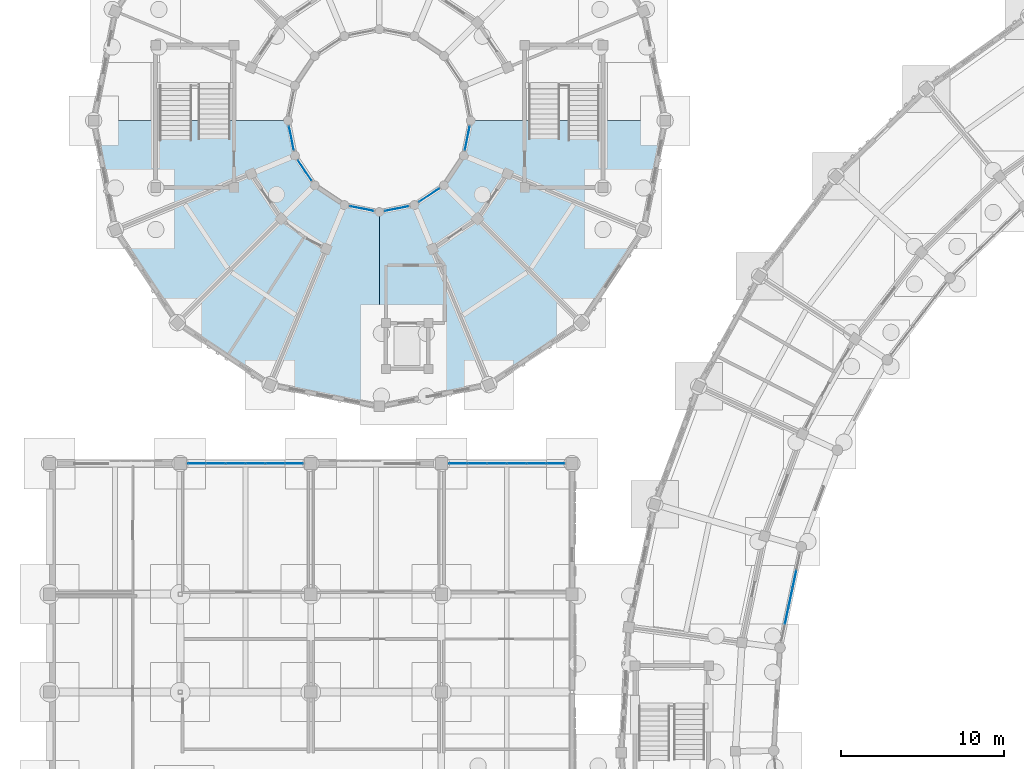
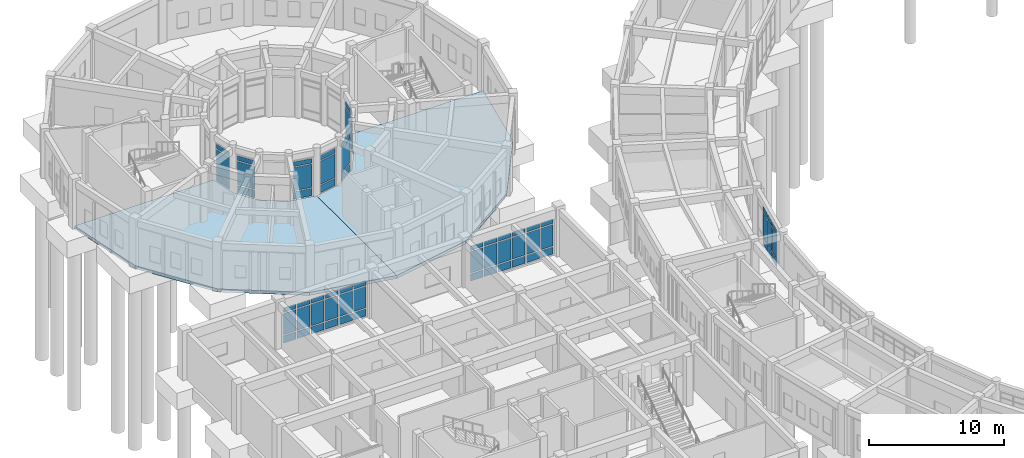
# One storey, part 107 of 153: 63 plates, 2 slabs, 9 elements without a shape of their own.
"""IFC4 building model written with IfcOpenShell, lengths in metres."""

from ifc_helpers import new_model, si_unit, direction, frame, origin, origin_2d, place, context, subcontext, project, spatial, polyline, rectangle, outline, extrude, material, layer, layer_set, type_object, element, aggregate, save


model = new_model("IFC4")

# Units and contexts
model_context = context("Model", 3, precision=1e-05, world=origin(), true_north=direction((0.0, 1.0)))
body_context = subcontext(model_context, "Body", "Model", "MODEL_VIEW")
ifc_project = project(units=[si_unit("LENGTHUNIT", "METRE"), si_unit("AREAUNIT", "SQUARE_METRE"), si_unit("VOLUMEUNIT", "CUBIC_METRE"), si_unit("PLANEANGLEUNIT", "RADIAN"), si_unit("MASSUNIT", "GRAM", prefix="KILO")], contexts=[model_context])

# Site, building, storey
site_placement = place(None, origin())
site = spatial("IfcSite", under=ifc_project, at=site_placement, CompositionType="ELEMENT")
building_placement = place(site_placement, origin())
building = spatial("IfcBuilding", under=site, at=building_placement, Name="Celadon Cloister-Ring School", CompositionType="ELEMENT")
storey_placement = place(building_placement, origin())
storey = spatial("IfcBuildingStorey", under=building, at=storey_placement, Name="L00", CompositionType="ELEMENT", Elevation=0.0)

# Curtain wall, plates
ifc_material_1 = material(Name="Aluminium EN AW-6063 T6", Category="aluminium")
curtain_wall_type_1 = type_object("IfcCurtainWallType", Name="CW-03", PredefinedType="USERDEFINED", material=ifc_material_1)
curtain_wall_1_placement = place(storey_placement, origin())
curtain_wall_1 = element("IfcCurtainWall", 1, at=curtain_wall_1_placement, inside=storey, type_object=curtain_wall_type_1, Name="Curtain Wall 0085", ObjectType="CURTAIN WALL", PredefinedType="USERDEFINED")
ifc_material_2 = material(Name="Tempered laminated insulating glass", Category="glass")
ifc_layer_1 = layer(ifc_material_2, 0.02001953125)
ifc_layer_set_1 = layer_set([ifc_layer_1], Name="Tempered laminated insulating glass")
plate_type_1 = type_object("IfcPlateType", Name="CPN-01", PredefinedType="CURTAIN_PANEL", material=ifc_layer_set_1)
plate_1_placement = place(storey_placement, frame((14.81298828125, 95.928466796875, 0.090087890625), z_axis=(0.0, 0.0, 1.0), x_axis=(0.194586131301, -0.980885435464, 0.0)))
plate_1 = element("IfcPlate", 2, at=plate_1_placement, type_object=plate_type_1, Name="CW-03 panel 1.1", PredefinedType="CURTAIN_PANEL", context=body_context, shape_type="SweptSolid", body=[
    extrude(rectangle(XDim=1.4443359375, YDim=0.02001953125, at=origin_2d()), origin(), (0.0, 0.0, 1.0), 0.6650390625),
])
plate_2_placement = place(storey_placement, frame((14.81298828125, 95.928466796875, 0.8447265625), z_axis=(0.0, 0.0, 1.0), x_axis=(0.194586131301, -0.980885435464, 0.0)))
plate_2 = element("IfcPlate", 3, at=plate_2_placement, type_object=plate_type_1, Name="CW-03 panel 1.2", PredefinedType="CURTAIN_PANEL", context=body_context, shape_type="SweptSolid", body=[
    extrude(rectangle(XDim=1.4443359375, YDim=0.02001953125, at=origin_2d()), origin(), (0.0, 0.0, 1.0), 2.110107421875),
])
plate_3_placement = place(storey_placement, frame((14.81298828125, 95.928466796875, 3.044921875), z_axis=(0.0, 0.0, 1.0), x_axis=(0.194586131301, -0.980885435464, 0.0)))
plate_3 = element("IfcPlate", 4, at=plate_3_placement, type_object=plate_type_1, Name="CW-03 panel 1.3", PredefinedType="CURTAIN_PANEL", context=body_context, shape_type="SweptSolid", body=[
    extrude(rectangle(XDim=1.4443359375, YDim=0.02001953125, at=origin_2d()), origin(), (0.0, 0.0, 1.0), 0.4150390625),
])
aggregate(curtain_wall_1, [plate_1, plate_2, plate_3])

curtain_wall_2_placement = place(storey_placement, origin())
curtain_wall_2 = element("IfcCurtainWall", 5, at=curtain_wall_2_placement, inside=storey, type_object=curtain_wall_type_1, Name="Curtain Wall 0086", ObjectType="CURTAIN WALL", PredefinedType="USERDEFINED")
plate_4_placement = place(storey_placement, frame((15.633056640625, 93.948486328125, 0.090087890625), z_axis=(0.0, 0.0, 1.0), x_axis=(0.555547066224, -0.831485091394, 0.0)))
plate_4 = element("IfcPlate", 6, at=plate_4_placement, type_object=plate_type_1, Name="CW-03 panel 1.1", PredefinedType="CURTAIN_PANEL", context=body_context, shape_type="SweptSolid", body=[
    extrude(rectangle(XDim=1.4443359375, YDim=0.02001953125, at=origin_2d()), origin(), (0.0, 0.0, 1.0), 0.6650390625),
])
plate_5_placement = place(storey_placement, frame((15.633056640625, 93.948486328125, 0.8447265625), z_axis=(0.0, 0.0, 1.0), x_axis=(0.555547066224, -0.831485091394, 0.0)))
plate_5 = element("IfcPlate", 7, at=plate_5_placement, type_object=plate_type_1, Name="CW-03 panel 1.2", PredefinedType="CURTAIN_PANEL", context=body_context, shape_type="SweptSolid", body=[
    extrude(rectangle(XDim=1.4443359375, YDim=0.02001953125, at=origin_2d()), origin(), (0.0, 0.0, 1.0), 2.110107421875),
])
plate_6_placement = place(storey_placement, frame((15.633056640625, 93.948486328125, 3.044921875), z_axis=(0.0, 0.0, 1.0), x_axis=(0.555547066224, -0.831485091394, 0.0)))
plate_6 = element("IfcPlate", 8, at=plate_6_placement, type_object=plate_type_1, Name="CW-03 panel 1.3", PredefinedType="CURTAIN_PANEL", context=body_context, shape_type="SweptSolid", body=[
    extrude(rectangle(XDim=1.4443359375, YDim=0.02001953125, at=origin_2d()), origin(), (0.0, 0.0, 1.0), 0.4150390625),
])
aggregate(curtain_wall_2, [plate_4, plate_5, plate_6])

curtain_wall_3_placement = place(storey_placement, origin())
curtain_wall_3 = element("IfcCurtainWall", 9, at=curtain_wall_3_placement, inside=storey, type_object=curtain_wall_type_1, Name="Curtain Wall 0087", ObjectType="CURTAIN WALL", PredefinedType="USERDEFINED")
plate_7_placement = place(storey_placement, frame((19.12841796875, 91.613037109375, 0.090087890625), z_axis=(0.0, 0.0, 1.0), x_axis=(0.980885435464, -0.194586131301, 0.0)))
plate_7 = element("IfcPlate", 10, at=plate_7_placement, type_object=plate_type_1, Name="CW-03 panel 1.1", PredefinedType="CURTAIN_PANEL", context=body_context, shape_type="SweptSolid", body=[
    extrude(rectangle(XDim=1.4443359375, YDim=0.02001953125, at=origin_2d()), origin(), (0.0, 0.0, 1.0), 0.6650390625),
])
plate_8_placement = place(storey_placement, frame((19.12841796875, 91.613037109375, 0.8447265625), z_axis=(0.0, 0.0, 1.0), x_axis=(0.980885435464, -0.194586131301, 0.0)))
plate_8 = element("IfcPlate", 11, at=plate_8_placement, type_object=plate_type_1, Name="CW-03 panel 1.2", PredefinedType="CURTAIN_PANEL", context=body_context, shape_type="SweptSolid", body=[
    extrude(rectangle(XDim=1.4443359375, YDim=0.02001953125, at=origin_2d()), origin(), (0.0, 0.0, 1.0), 2.110107421875),
])
plate_9_placement = place(storey_placement, frame((19.12841796875, 91.613037109375, 3.044921875), z_axis=(0.0, 0.0, 1.0), x_axis=(0.980885435464, -0.194586131301, 0.0)))
plate_9 = element("IfcPlate", 12, at=plate_9_placement, type_object=plate_type_1, Name="CW-03 panel 1.3", PredefinedType="CURTAIN_PANEL", context=body_context, shape_type="SweptSolid", body=[
    extrude(rectangle(XDim=1.4443359375, YDim=0.02001953125, at=origin_2d()), origin(), (0.0, 0.0, 1.0), 0.4150390625),
])
aggregate(curtain_wall_3, [plate_7, plate_8, plate_9])

curtain_wall_4_placement = place(storey_placement, origin())
curtain_wall_4 = element("IfcCurtainWall", 13, at=curtain_wall_4_placement, inside=storey, type_object=curtain_wall_type_1, Name="Curtain Wall 0088", ObjectType="CURTAIN WALL", PredefinedType="USERDEFINED")
plate_10_placement = place(storey_placement, frame((21.271484375, 91.613037109375, 0.090087890625), z_axis=(0.0, 0.0, 1.0), x_axis=(0.980885435464, 0.194586131301, 0.0)))
plate_10 = element("IfcPlate", 14, at=plate_10_placement, type_object=plate_type_1, Name="CW-03 panel 1.1", PredefinedType="CURTAIN_PANEL", context=body_context, shape_type="SweptSolid", body=[
    extrude(rectangle(XDim=1.4443359375, YDim=0.02001953125, at=origin_2d()), origin(), (0.0, 0.0, 1.0), 0.6650390625),
])
plate_11_placement = place(storey_placement, frame((21.271484375, 91.613037109375, 0.8447265625), z_axis=(0.0, 0.0, 1.0), x_axis=(0.980885435464, 0.194586131301, 0.0)))
plate_11 = element("IfcPlate", 15, at=plate_11_placement, type_object=plate_type_1, Name="CW-03 panel 1.2", PredefinedType="CURTAIN_PANEL", context=body_context, shape_type="SweptSolid", body=[
    extrude(rectangle(XDim=1.4443359375, YDim=0.02001953125, at=origin_2d()), origin(), (0.0, 0.0, 1.0), 2.110107421875),
])
plate_12_placement = place(storey_placement, frame((21.271484375, 91.613037109375, 3.044921875), z_axis=(0.0, 0.0, 1.0), x_axis=(0.980885435464, 0.194586131301, 0.0)))
plate_12 = element("IfcPlate", 16, at=plate_12_placement, type_object=plate_type_1, Name="CW-03 panel 1.3", PredefinedType="CURTAIN_PANEL", context=body_context, shape_type="SweptSolid", body=[
    extrude(rectangle(XDim=1.4443359375, YDim=0.02001953125, at=origin_2d()), origin(), (0.0, 0.0, 1.0), 0.4150390625),
])
aggregate(curtain_wall_4, [plate_10, plate_11, plate_12])

curtain_wall_5_placement = place(storey_placement, origin())
curtain_wall_5 = element("IfcCurtainWall", 17, at=curtain_wall_5_placement, inside=storey, type_object=curtain_wall_type_1, Name="Curtain Wall 0089", ObjectType="CURTAIN WALL", PredefinedType="USERDEFINED")
plate_13_placement = place(storey_placement, frame((23.25146484375, 92.43310546875, 0.090087890625), z_axis=(0.0, 0.0, 1.0), x_axis=(0.831485091394, 0.555547066224, 0.0)))
plate_13 = element("IfcPlate", 18, at=plate_13_placement, type_object=plate_type_1, Name="CW-03 panel 1.1", PredefinedType="CURTAIN_PANEL", context=body_context, shape_type="SweptSolid", body=[
    extrude(rectangle(XDim=1.4443359375, YDim=0.02001953125, at=origin_2d()), origin(), (0.0, 0.0, 1.0), 0.6650390625),
])
plate_14_placement = place(storey_placement, frame((23.25146484375, 92.43310546875, 0.8447265625), z_axis=(0.0, 0.0, 1.0), x_axis=(0.831485091394, 0.555547066224, 0.0)))
plate_14 = element("IfcPlate", 19, at=plate_14_placement, type_object=plate_type_1, Name="CW-03 panel 1.2", PredefinedType="CURTAIN_PANEL", context=body_context, shape_type="SweptSolid", body=[
    extrude(rectangle(XDim=1.4443359375, YDim=0.02001953125, at=origin_2d()), origin(), (0.0, 0.0, 1.0), 2.110107421875),
])
plate_15_placement = place(storey_placement, frame((23.25146484375, 92.43310546875, 3.044921875), z_axis=(0.0, 0.0, 1.0), x_axis=(0.831485091394, 0.555547066224, 0.0)))
plate_15 = element("IfcPlate", 20, at=plate_15_placement, type_object=plate_type_1, Name="CW-03 panel 1.3", PredefinedType="CURTAIN_PANEL", context=body_context, shape_type="SweptSolid", body=[
    extrude(rectangle(XDim=1.4443359375, YDim=0.02001953125, at=origin_2d()), origin(), (0.0, 0.0, 1.0), 0.4150390625),
])
aggregate(curtain_wall_5, [plate_13, plate_14, plate_15])

curtain_wall_6_placement = place(storey_placement, origin())
curtain_wall_6 = element("IfcCurtainWall", 21, at=curtain_wall_6_placement, inside=storey, type_object=curtain_wall_type_1, Name="Curtain Wall 0090", ObjectType="CURTAIN WALL", PredefinedType="USERDEFINED")
plate_16_placement = place(storey_placement, frame((25.5869140625, 95.928466796875, 0.090087890625), z_axis=(0.0, 0.0, 1.0), x_axis=(0.194586131301, 0.980885435464, 0.0)))
plate_16 = element("IfcPlate", 22, at=plate_16_placement, type_object=plate_type_1, Name="CW-03 panel 1.1", PredefinedType="CURTAIN_PANEL", context=body_context, shape_type="SweptSolid", body=[
    extrude(rectangle(XDim=1.4443359375, YDim=0.02001953125, at=origin_2d()), origin(), (0.0, 0.0, 1.0), 0.6650390625),
])
plate_17_placement = place(storey_placement, frame((25.5869140625, 95.928466796875, 0.8447265625), z_axis=(0.0, 0.0, 1.0), x_axis=(0.194586131301, 0.980885435464, 0.0)))
plate_17 = element("IfcPlate", 23, at=plate_17_placement, type_object=plate_type_1, Name="CW-03 panel 1.2", PredefinedType="CURTAIN_PANEL", context=body_context, shape_type="SweptSolid", body=[
    extrude(rectangle(XDim=1.4443359375, YDim=0.02001953125, at=origin_2d()), origin(), (0.0, 0.0, 1.0), 2.110107421875),
])
plate_18_placement = place(storey_placement, frame((25.5869140625, 95.928466796875, 3.044921875), z_axis=(0.0, 0.0, 1.0), x_axis=(0.194586131301, 0.980885435464, 0.0)))
plate_18 = element("IfcPlate", 24, at=plate_18_placement, type_object=plate_type_1, Name="CW-03 panel 1.3", PredefinedType="CURTAIN_PANEL", context=body_context, shape_type="SweptSolid", body=[
    extrude(rectangle(XDim=1.4443359375, YDim=0.02001953125, at=origin_2d()), origin(), (0.0, 0.0, 1.0), 0.4150390625),
])
aggregate(curtain_wall_6, [plate_16, plate_17, plate_18])

ifc_material_3 = material(Name="Aluminium EN AW-6063 T6", Category="aluminium")
curtain_wall_type_2 = type_object("IfcCurtainWallType", Name="CW-12", PredefinedType="USERDEFINED", material=ifc_material_3)
curtain_wall_7_placement = place(storey_placement, origin())
curtain_wall_7 = element("IfcCurtainWall", 25, at=curtain_wall_7_placement, inside=storey, type_object=curtain_wall_type_2, Name="Curtain Wall 0191", ObjectType="CURTAIN WALL", PredefinedType="USERDEFINED")
plate_19_placement = place(storey_placement, frame((9.006591796875, 76.0, 0.10498046875), z_axis=(0.0, 0.0, 1.0), x_axis=(1.0, 0.0, 0.0)))
plate_19 = element("IfcPlate", 26, at=plate_19_placement, type_object=plate_type_1, Name="CW-12 panel 1.1", PredefinedType="CURTAIN_PANEL", context=body_context, shape_type="SweptSolid", body=[
    extrude(rectangle(XDim=1.043212890625, YDim=0.02001953125, at=origin_2d()), origin(), (0.0, 0.0, 1.0), 0.642578125),
])
plate_20_placement = place(storey_placement, frame((9.006591796875, 76.0, 0.8525390625), z_axis=(0.0, 0.0, 1.0), x_axis=(1.0, 0.0, 0.0)))
plate_20 = element("IfcPlate", 27, at=plate_20_placement, type_object=plate_type_1, Name="CW-12 panel 1.2", PredefinedType="CURTAIN_PANEL", context=body_context, shape_type="SweptSolid", body=[
    extrude(rectangle(XDim=1.043212890625, YDim=0.02001953125, at=origin_2d()), origin(), (0.0, 0.0, 1.0), 1.927001953125),
])
plate_21_placement = place(storey_placement, frame((9.006591796875, 76.0, 2.884521484375), z_axis=(0.0, 0.0, 1.0), x_axis=(1.0, 0.0, 0.0)))
plate_21 = element("IfcPlate", 28, at=plate_21_placement, type_object=plate_type_1, Name="CW-12 panel 1.3", PredefinedType="CURTAIN_PANEL", context=body_context, shape_type="SweptSolid", body=[
    extrude(rectangle(XDim=1.043212890625, YDim=0.02001953125, at=origin_2d()), origin(), (0.0, 0.0, 1.0), 0.392578125),
])
plate_22_placement = place(storey_placement, frame((10.1875, 76.0, 0.10498046875), z_axis=(0.0, 0.0, 1.0), x_axis=(1.0, 0.0, 0.0)))
plate_22 = element("IfcPlate", 29, at=plate_22_placement, type_object=plate_type_1, Name="CW-12 panel 2.1", PredefinedType="CURTAIN_PANEL", context=body_context, shape_type="SweptSolid", body=[
    extrude(rectangle(XDim=1.098388671875, YDim=0.02001953125, at=origin_2d()), origin(), (0.0, 0.0, 1.0), 0.642578125),
])
plate_23_placement = place(storey_placement, frame((10.1875, 76.0, 0.8525390625), z_axis=(0.0, 0.0, 1.0), x_axis=(1.0, 0.0, 0.0)))
plate_23 = element("IfcPlate", 30, at=plate_23_placement, type_object=plate_type_1, Name="CW-12 panel 2.2", PredefinedType="CURTAIN_PANEL", context=body_context, shape_type="SweptSolid", body=[
    extrude(rectangle(XDim=1.098388671875, YDim=0.02001953125, at=origin_2d()), origin(), (0.0, 0.0, 1.0), 1.927001953125),
])
plate_24_placement = place(storey_placement, frame((10.1875, 76.0, 2.884521484375), z_axis=(0.0, 0.0, 1.0), x_axis=(1.0, 0.0, 0.0)))
plate_24 = element("IfcPlate", 31, at=plate_24_placement, type_object=plate_type_1, Name="CW-12 panel 2.3", PredefinedType="CURTAIN_PANEL", context=body_context, shape_type="SweptSolid", body=[
    extrude(rectangle(XDim=1.098388671875, YDim=0.02001953125, at=origin_2d()), origin(), (0.0, 0.0, 1.0), 0.392578125),
])
plate_25_placement = place(storey_placement, frame((11.395751953125, 76.0, 0.10498046875), z_axis=(0.0, 0.0, 1.0), x_axis=(1.0, 0.0, 0.0)))
plate_25 = element("IfcPlate", 32, at=plate_25_placement, type_object=plate_type_1, Name="CW-12 panel 3.1", PredefinedType="CURTAIN_PANEL", context=body_context, shape_type="SweptSolid", body=[
    extrude(rectangle(XDim=1.098388671875, YDim=0.02001953125, at=origin_2d()), origin(), (0.0, 0.0, 1.0), 0.642578125),
])
plate_26_placement = place(storey_placement, frame((11.395751953125, 76.0, 0.8525390625), z_axis=(0.0, 0.0, 1.0), x_axis=(1.0, 0.0, 0.0)))
plate_26 = element("IfcPlate", 33, at=plate_26_placement, type_object=plate_type_1, Name="CW-12 panel 3.2", PredefinedType="CURTAIN_PANEL", context=body_context, shape_type="SweptSolid", body=[
    extrude(rectangle(XDim=1.098388671875, YDim=0.02001953125, at=origin_2d()), origin(), (0.0, 0.0, 1.0), 1.927001953125),
])
plate_27_placement = place(storey_placement, frame((11.395751953125, 76.0, 2.884521484375), z_axis=(0.0, 0.0, 1.0), x_axis=(1.0, 0.0, 0.0)))
plate_27 = element("IfcPlate", 34, at=plate_27_placement, type_object=plate_type_1, Name="CW-12 panel 3.3", PredefinedType="CURTAIN_PANEL", context=body_context, shape_type="SweptSolid", body=[
    extrude(rectangle(XDim=1.098388671875, YDim=0.02001953125, at=origin_2d()), origin(), (0.0, 0.0, 1.0), 0.392578125),
])
plate_28_placement = place(storey_placement, frame((12.604248046875, 76.0, 0.10498046875), z_axis=(0.0, 0.0, 1.0), x_axis=(1.0, 0.0, 0.0)))
plate_28 = element("IfcPlate", 35, at=plate_28_placement, type_object=plate_type_1, Name="CW-12 panel 4.1", PredefinedType="CURTAIN_PANEL", context=body_context, shape_type="SweptSolid", body=[
    extrude(rectangle(XDim=1.098388671875, YDim=0.02001953125, at=origin_2d()), origin(), (0.0, 0.0, 1.0), 0.642578125),
])
plate_29_placement = place(storey_placement, frame((12.604248046875, 76.0, 0.8525390625), z_axis=(0.0, 0.0, 1.0), x_axis=(1.0, 0.0, 0.0)))
plate_29 = element("IfcPlate", 36, at=plate_29_placement, type_object=plate_type_1, Name="CW-12 panel 4.2", PredefinedType="CURTAIN_PANEL", context=body_context, shape_type="SweptSolid", body=[
    extrude(rectangle(XDim=1.098388671875, YDim=0.02001953125, at=origin_2d()), origin(), (0.0, 0.0, 1.0), 1.927001953125),
])
plate_30_placement = place(storey_placement, frame((12.604248046875, 76.0, 2.884521484375), z_axis=(0.0, 0.0, 1.0), x_axis=(1.0, 0.0, 0.0)))
plate_30 = element("IfcPlate", 37, at=plate_30_placement, type_object=plate_type_1, Name="CW-12 panel 4.3", PredefinedType="CURTAIN_PANEL", context=body_context, shape_type="SweptSolid", body=[
    extrude(rectangle(XDim=1.098388671875, YDim=0.02001953125, at=origin_2d()), origin(), (0.0, 0.0, 1.0), 0.392578125),
])
plate_31_placement = place(storey_placement, frame((13.8125, 76.0, 0.10498046875), z_axis=(0.0, 0.0, 1.0), x_axis=(1.0, 0.0, 0.0)))
plate_31 = element("IfcPlate", 38, at=plate_31_placement, type_object=plate_type_1, Name="CW-12 panel 5.1", PredefinedType="CURTAIN_PANEL", context=body_context, shape_type="SweptSolid", body=[
    extrude(rectangle(XDim=1.098388671875, YDim=0.02001953125, at=origin_2d()), origin(), (0.0, 0.0, 1.0), 0.642578125),
])
plate_32_placement = place(storey_placement, frame((13.8125, 76.0, 0.8525390625), z_axis=(0.0, 0.0, 1.0), x_axis=(1.0, 0.0, 0.0)))
plate_32 = element("IfcPlate", 39, at=plate_32_placement, type_object=plate_type_1, Name="CW-12 panel 5.2", PredefinedType="CURTAIN_PANEL", context=body_context, shape_type="SweptSolid", body=[
    extrude(rectangle(XDim=1.098388671875, YDim=0.02001953125, at=origin_2d()), origin(), (0.0, 0.0, 1.0), 1.927001953125),
])
plate_33_placement = place(storey_placement, frame((13.8125, 76.0, 2.884521484375), z_axis=(0.0, 0.0, 1.0), x_axis=(1.0, 0.0, 0.0)))
plate_33 = element("IfcPlate", 40, at=plate_33_placement, type_object=plate_type_1, Name="CW-12 panel 5.3", PredefinedType="CURTAIN_PANEL", context=body_context, shape_type="SweptSolid", body=[
    extrude(rectangle(XDim=1.098388671875, YDim=0.02001953125, at=origin_2d()), origin(), (0.0, 0.0, 1.0), 0.392578125),
])
plate_34_placement = place(storey_placement, frame((14.993408203125, 76.0, 0.10498046875), z_axis=(0.0, 0.0, 1.0), x_axis=(1.0, 0.0, 0.0)))
plate_34 = element("IfcPlate", 41, at=plate_34_placement, type_object=plate_type_1, Name="CW-12 panel 6.1", PredefinedType="CURTAIN_PANEL", context=body_context, shape_type="SweptSolid", body=[
    extrude(rectangle(XDim=1.043212890625, YDim=0.02001953125, at=origin_2d()), origin(), (0.0, 0.0, 1.0), 0.642578125),
])
plate_35_placement = place(storey_placement, frame((14.993408203125, 76.0, 0.8525390625), z_axis=(0.0, 0.0, 1.0), x_axis=(1.0, 0.0, 0.0)))
plate_35 = element("IfcPlate", 42, at=plate_35_placement, type_object=plate_type_1, Name="CW-12 panel 6.2", PredefinedType="CURTAIN_PANEL", context=body_context, shape_type="SweptSolid", body=[
    extrude(rectangle(XDim=1.043212890625, YDim=0.02001953125, at=origin_2d()), origin(), (0.0, 0.0, 1.0), 1.927001953125),
])
plate_36_placement = place(storey_placement, frame((14.993408203125, 76.0, 2.884521484375), z_axis=(0.0, 0.0, 1.0), x_axis=(1.0, 0.0, 0.0)))
plate_36 = element("IfcPlate", 43, at=plate_36_placement, type_object=plate_type_1, Name="CW-12 panel 6.3", PredefinedType="CURTAIN_PANEL", context=body_context, shape_type="SweptSolid", body=[
    extrude(rectangle(XDim=1.043212890625, YDim=0.02001953125, at=origin_2d()), origin(), (0.0, 0.0, 1.0), 0.392578125),
])
aggregate(curtain_wall_7, [plate_19, plate_20, plate_21, plate_22, plate_23, plate_24, plate_25, plate_26, plate_27, plate_28, plate_29, plate_30, plate_31, plate_32, plate_33, plate_34, plate_35, plate_36])

curtain_wall_8_placement = place(storey_placement, origin())
curtain_wall_8 = element("IfcCurtainWall", 44, at=curtain_wall_8_placement, inside=storey, type_object=curtain_wall_type_2, Name="Curtain Wall 0192", ObjectType="CURTAIN WALL", PredefinedType="USERDEFINED")
plate_37_placement = place(storey_placement, frame((25.006591796875, 76.0, 0.10498046875), z_axis=(0.0, 0.0, 1.0), x_axis=(1.0, 0.0, 0.0)))
plate_37 = element("IfcPlate", 45, at=plate_37_placement, type_object=plate_type_1, Name="CW-12 panel 1.1", PredefinedType="CURTAIN_PANEL", context=body_context, shape_type="SweptSolid", body=[
    extrude(rectangle(XDim=1.043212890625, YDim=0.02001953125, at=origin_2d()), origin(), (0.0, 0.0, 1.0), 0.642578125),
])
plate_38_placement = place(storey_placement, frame((25.006591796875, 76.0, 0.8525390625), z_axis=(0.0, 0.0, 1.0), x_axis=(1.0, 0.0, 0.0)))
plate_38 = element("IfcPlate", 46, at=plate_38_placement, type_object=plate_type_1, Name="CW-12 panel 1.2", PredefinedType="CURTAIN_PANEL", context=body_context, shape_type="SweptSolid", body=[
    extrude(rectangle(XDim=1.043212890625, YDim=0.02001953125, at=origin_2d()), origin(), (0.0, 0.0, 1.0), 1.927001953125),
])
plate_39_placement = place(storey_placement, frame((25.006591796875, 76.0, 2.884521484375), z_axis=(0.0, 0.0, 1.0), x_axis=(1.0, 0.0, 0.0)))
plate_39 = element("IfcPlate", 47, at=plate_39_placement, type_object=plate_type_1, Name="CW-12 panel 1.3", PredefinedType="CURTAIN_PANEL", context=body_context, shape_type="SweptSolid", body=[
    extrude(rectangle(XDim=1.043212890625, YDim=0.02001953125, at=origin_2d()), origin(), (0.0, 0.0, 1.0), 0.392578125),
])
plate_40_placement = place(storey_placement, frame((26.1875, 76.0, 0.10498046875), z_axis=(0.0, 0.0, 1.0), x_axis=(1.0, 0.0, 0.0)))
plate_40 = element("IfcPlate", 48, at=plate_40_placement, type_object=plate_type_1, Name="CW-12 panel 2.1", PredefinedType="CURTAIN_PANEL", context=body_context, shape_type="SweptSolid", body=[
    extrude(rectangle(XDim=1.098388671875, YDim=0.02001953125, at=origin_2d()), origin(), (0.0, 0.0, 1.0), 0.642578125),
])
plate_41_placement = place(storey_placement, frame((26.1875, 76.0, 0.8525390625), z_axis=(0.0, 0.0, 1.0), x_axis=(1.0, 0.0, 0.0)))
plate_41 = element("IfcPlate", 49, at=plate_41_placement, type_object=plate_type_1, Name="CW-12 panel 2.2", PredefinedType="CURTAIN_PANEL", context=body_context, shape_type="SweptSolid", body=[
    extrude(rectangle(XDim=1.098388671875, YDim=0.02001953125, at=origin_2d()), origin(), (0.0, 0.0, 1.0), 1.927001953125),
])
plate_42_placement = place(storey_placement, frame((26.1875, 76.0, 2.884521484375), z_axis=(0.0, 0.0, 1.0), x_axis=(1.0, 0.0, 0.0)))
plate_42 = element("IfcPlate", 50, at=plate_42_placement, type_object=plate_type_1, Name="CW-12 panel 2.3", PredefinedType="CURTAIN_PANEL", context=body_context, shape_type="SweptSolid", body=[
    extrude(rectangle(XDim=1.098388671875, YDim=0.02001953125, at=origin_2d()), origin(), (0.0, 0.0, 1.0), 0.392578125),
])
plate_43_placement = place(storey_placement, frame((27.395751953125, 76.0, 0.10498046875), z_axis=(0.0, 0.0, 1.0), x_axis=(1.0, 0.0, 0.0)))
plate_43 = element("IfcPlate", 51, at=plate_43_placement, type_object=plate_type_1, Name="CW-12 panel 3.1", PredefinedType="CURTAIN_PANEL", context=body_context, shape_type="SweptSolid", body=[
    extrude(rectangle(XDim=1.098388671875, YDim=0.02001953125, at=origin_2d()), origin(), (0.0, 0.0, 1.0), 0.642578125),
])
plate_44_placement = place(storey_placement, frame((27.395751953125, 76.0, 0.8525390625), z_axis=(0.0, 0.0, 1.0), x_axis=(1.0, 0.0, 0.0)))
plate_44 = element("IfcPlate", 52, at=plate_44_placement, type_object=plate_type_1, Name="CW-12 panel 3.2", PredefinedType="CURTAIN_PANEL", context=body_context, shape_type="SweptSolid", body=[
    extrude(rectangle(XDim=1.098388671875, YDim=0.02001953125, at=origin_2d()), origin(), (0.0, 0.0, 1.0), 1.927001953125),
])
plate_45_placement = place(storey_placement, frame((27.395751953125, 76.0, 2.884521484375), z_axis=(0.0, 0.0, 1.0), x_axis=(1.0, 0.0, 0.0)))
plate_45 = element("IfcPlate", 53, at=plate_45_placement, type_object=plate_type_1, Name="CW-12 panel 3.3", PredefinedType="CURTAIN_PANEL", context=body_context, shape_type="SweptSolid", body=[
    extrude(rectangle(XDim=1.098388671875, YDim=0.02001953125, at=origin_2d()), origin(), (0.0, 0.0, 1.0), 0.392578125),
])
plate_46_placement = place(storey_placement, frame((28.604248046875, 76.0, 0.10498046875), z_axis=(0.0, 0.0, 1.0), x_axis=(1.0, 0.0, 0.0)))
plate_46 = element("IfcPlate", 54, at=plate_46_placement, type_object=plate_type_1, Name="CW-12 panel 4.1", PredefinedType="CURTAIN_PANEL", context=body_context, shape_type="SweptSolid", body=[
    extrude(rectangle(XDim=1.098388671875, YDim=0.02001953125, at=origin_2d()), origin(), (0.0, 0.0, 1.0), 0.642578125),
])
plate_47_placement = place(storey_placement, frame((28.604248046875, 76.0, 0.8525390625), z_axis=(0.0, 0.0, 1.0), x_axis=(1.0, 0.0, 0.0)))
plate_47 = element("IfcPlate", 55, at=plate_47_placement, type_object=plate_type_1, Name="CW-12 panel 4.2", PredefinedType="CURTAIN_PANEL", context=body_context, shape_type="SweptSolid", body=[
    extrude(rectangle(XDim=1.098388671875, YDim=0.02001953125, at=origin_2d()), origin(), (0.0, 0.0, 1.0), 1.927001953125),
])
plate_48_placement = place(storey_placement, frame((28.604248046875, 76.0, 2.884521484375), z_axis=(0.0, 0.0, 1.0), x_axis=(1.0, 0.0, 0.0)))
plate_48 = element("IfcPlate", 56, at=plate_48_placement, type_object=plate_type_1, Name="CW-12 panel 4.3", PredefinedType="CURTAIN_PANEL", context=body_context, shape_type="SweptSolid", body=[
    extrude(rectangle(XDim=1.098388671875, YDim=0.02001953125, at=origin_2d()), origin(), (0.0, 0.0, 1.0), 0.392578125),
])
plate_49_placement = place(storey_placement, frame((29.8125, 76.0, 0.10498046875), z_axis=(0.0, 0.0, 1.0), x_axis=(1.0, 0.0, 0.0)))
plate_49 = element("IfcPlate", 57, at=plate_49_placement, type_object=plate_type_1, Name="CW-12 panel 5.1", PredefinedType="CURTAIN_PANEL", context=body_context, shape_type="SweptSolid", body=[
    extrude(rectangle(XDim=1.098388671875, YDim=0.02001953125, at=origin_2d()), origin(), (0.0, 0.0, 1.0), 0.642578125),
])
plate_50_placement = place(storey_placement, frame((29.8125, 76.0, 0.8525390625), z_axis=(0.0, 0.0, 1.0), x_axis=(1.0, 0.0, 0.0)))
plate_50 = element("IfcPlate", 58, at=plate_50_placement, type_object=plate_type_1, Name="CW-12 panel 5.2", PredefinedType="CURTAIN_PANEL", context=body_context, shape_type="SweptSolid", body=[
    extrude(rectangle(XDim=1.098388671875, YDim=0.02001953125, at=origin_2d()), origin(), (0.0, 0.0, 1.0), 1.927001953125),
])
plate_51_placement = place(storey_placement, frame((29.8125, 76.0, 2.884521484375), z_axis=(0.0, 0.0, 1.0), x_axis=(1.0, 0.0, 0.0)))
plate_51 = element("IfcPlate", 59, at=plate_51_placement, type_object=plate_type_1, Name="CW-12 panel 5.3", PredefinedType="CURTAIN_PANEL", context=body_context, shape_type="SweptSolid", body=[
    extrude(rectangle(XDim=1.098388671875, YDim=0.02001953125, at=origin_2d()), origin(), (0.0, 0.0, 1.0), 0.392578125),
])
plate_52_placement = place(storey_placement, frame((30.993408203125, 76.0, 0.10498046875), z_axis=(0.0, 0.0, 1.0), x_axis=(1.0, 0.0, 0.0)))
plate_52 = element("IfcPlate", 60, at=plate_52_placement, type_object=plate_type_1, Name="CW-12 panel 6.1", PredefinedType="CURTAIN_PANEL", context=body_context, shape_type="SweptSolid", body=[
    extrude(rectangle(XDim=1.043212890625, YDim=0.02001953125, at=origin_2d()), origin(), (0.0, 0.0, 1.0), 0.642578125),
])
plate_53_placement = place(storey_placement, frame((30.993408203125, 76.0, 0.8525390625), z_axis=(0.0, 0.0, 1.0), x_axis=(1.0, 0.0, 0.0)))
plate_53 = element("IfcPlate", 61, at=plate_53_placement, type_object=plate_type_1, Name="CW-12 panel 6.2", PredefinedType="CURTAIN_PANEL", context=body_context, shape_type="SweptSolid", body=[
    extrude(rectangle(XDim=1.043212890625, YDim=0.02001953125, at=origin_2d()), origin(), (0.0, 0.0, 1.0), 1.927001953125),
])
plate_54_placement = place(storey_placement, frame((30.993408203125, 76.0, 2.884521484375), z_axis=(0.0, 0.0, 1.0), x_axis=(1.0, 0.0, 0.0)))
plate_54 = element("IfcPlate", 62, at=plate_54_placement, type_object=plate_type_1, Name="CW-12 panel 6.3", PredefinedType="CURTAIN_PANEL", context=body_context, shape_type="SweptSolid", body=[
    extrude(rectangle(XDim=1.043212890625, YDim=0.02001953125, at=origin_2d()), origin(), (0.0, 0.0, 1.0), 0.392578125),
])
aggregate(curtain_wall_8, [plate_37, plate_38, plate_39, plate_40, plate_41, plate_42, plate_43, plate_44, plate_45, plate_46, plate_47, plate_48, plate_49, plate_50, plate_51, plate_52, plate_53, plate_54])

ifc_material_4 = material(Name="Aluminium EN AW-6063 T6", Category="aluminium")
curtain_wall_type_3 = type_object("IfcCurtainWallType", Name="CW-01", PredefinedType="USERDEFINED", material=ifc_material_4)
curtain_wall_9_placement = place(storey_placement, origin())
curtain_wall_9 = element("IfcCurtainWall", 63, at=curtain_wall_9_placement, inside=storey, type_object=curtain_wall_type_3, Name="Curtain Wall 0003", ObjectType="CURTAIN WALL", PredefinedType="USERDEFINED")
ifc_material_5 = material(Name="Tempered laminated insulating glass", Category="glass")
ifc_layer_2 = layer(ifc_material_5, 0.028076171875)
ifc_layer_set_2 = layer_set([ifc_layer_2], Name="Tempered laminated insulating glass")
plate_type_2 = type_object("IfcPlateType", Name="CPN-02", PredefinedType="CURTAIN_PANEL", material=ifc_layer_set_2)
plate_55_placement = place(storey_placement, frame((45.623779296875, 68.917236328125, 0.074951171875), z_axis=(0.0, 0.0, 1.0), x_axis=(-0.207094964304, -0.978320844999, 0.0)))
plate_55 = element("IfcPlate", 64, at=plate_55_placement, type_object=plate_type_2, Name="CW-01 panel 2.1", PredefinedType="CURTAIN_PANEL", context=body_context, shape_type="SweptSolid", body=[
    extrude(rectangle(XDim=1.0537109375, YDim=0.028076171875, at=origin_2d()), origin(), (0.0, 0.0, 1.0), 0.6875),
])
plate_56_placement = place(storey_placement, frame((45.623779296875, 68.917236328125, 0.83740234375), z_axis=(0.0, 0.0, 1.0), x_axis=(-0.207094964304, -0.978320844999, 0.0)))
plate_56 = element("IfcPlate", 65, at=plate_56_placement, type_object=plate_type_2, Name="CW-01 panel 2.2", PredefinedType="CURTAIN_PANEL", context=body_context, shape_type="SweptSolid", body=[
    extrude(rectangle(XDim=1.0537109375, YDim=0.028076171875, at=origin_2d()), origin(), (0.0, 0.0, 1.0), 2.125),
])
plate_57_placement = place(storey_placement, frame((45.623779296875, 68.917236328125, 3.03759765625), z_axis=(0.0, 0.0, 1.0), x_axis=(-0.207094964304, -0.978320844999, 0.0)))
plate_57 = element("IfcPlate", 66, at=plate_57_placement, type_object=plate_type_2, Name="CW-01 panel 2.3", PredefinedType="CURTAIN_PANEL", context=body_context, shape_type="SweptSolid", body=[
    extrude(rectangle(XDim=1.0537109375, YDim=0.028076171875, at=origin_2d()), origin(), (0.0, 0.0, 1.0), 0.4375),
])
plate_58_placement = place(storey_placement, frame((45.388916015625, 67.80810546875, 0.074951171875), z_axis=(0.0, 0.0, 1.0), x_axis=(-0.207094964304, -0.978320844999, 0.0)))
plate_58 = element("IfcPlate", 67, at=plate_58_placement, type_object=plate_type_2, Name="CW-01 panel 3.1", PredefinedType="CURTAIN_PANEL", context=body_context, shape_type="SweptSolid", body=[
    extrude(rectangle(XDim=1.0537109375, YDim=0.028076171875, at=origin_2d()), origin(), (0.0, 0.0, 1.0), 0.6875),
])
plate_59_placement = place(storey_placement, frame((45.388916015625, 67.80810546875, 0.83740234375), z_axis=(0.0, 0.0, 1.0), x_axis=(-0.207094964304, -0.978320844999, 0.0)))
plate_59 = element("IfcPlate", 68, at=plate_59_placement, type_object=plate_type_2, Name="CW-01 panel 3.2", PredefinedType="CURTAIN_PANEL", context=body_context, shape_type="SweptSolid", body=[
    extrude(rectangle(XDim=1.0537109375, YDim=0.028076171875, at=origin_2d()), origin(), (0.0, 0.0, 1.0), 2.125),
])
plate_60_placement = place(storey_placement, frame((45.388916015625, 67.80810546875, 3.03759765625), z_axis=(0.0, 0.0, 1.0), x_axis=(-0.207094964304, -0.978320844999, 0.0)))
plate_60 = element("IfcPlate", 69, at=plate_60_placement, type_object=plate_type_2, Name="CW-01 panel 3.3", PredefinedType="CURTAIN_PANEL", context=body_context, shape_type="SweptSolid", body=[
    extrude(rectangle(XDim=1.0537109375, YDim=0.028076171875, at=origin_2d()), origin(), (0.0, 0.0, 1.0), 0.4375),
])
plate_61_placement = place(storey_placement, frame((45.154296875, 66.69873046875, 0.074951171875), z_axis=(0.0, 0.0, 1.0), x_axis=(-0.207094964304, -0.978320844999, 0.0)))
plate_61 = element("IfcPlate", 70, at=plate_61_placement, type_object=plate_type_2, Name="CW-01 panel 4.1", PredefinedType="CURTAIN_PANEL", context=body_context, shape_type="SweptSolid", body=[
    extrude(rectangle(XDim=1.0537109375, YDim=0.028076171875, at=origin_2d()), origin(), (0.0, 0.0, 1.0), 0.6875),
])
plate_62_placement = place(storey_placement, frame((45.154296875, 66.69873046875, 0.83740234375), z_axis=(0.0, 0.0, 1.0), x_axis=(-0.207094964304, -0.978320844999, 0.0)))
plate_62 = element("IfcPlate", 71, at=plate_62_placement, type_object=plate_type_2, Name="CW-01 panel 4.2", PredefinedType="CURTAIN_PANEL", context=body_context, shape_type="SweptSolid", body=[
    extrude(rectangle(XDim=1.0537109375, YDim=0.028076171875, at=origin_2d()), origin(), (0.0, 0.0, 1.0), 2.125),
])
plate_63_placement = place(storey_placement, frame((45.154296875, 66.69873046875, 3.03759765625), z_axis=(0.0, 0.0, 1.0), x_axis=(-0.207094964304, -0.978320844999, 0.0)))
plate_63 = element("IfcPlate", 72, at=plate_63_placement, type_object=plate_type_2, Name="CW-01 panel 4.3", PredefinedType="CURTAIN_PANEL", context=body_context, shape_type="SweptSolid", body=[
    extrude(rectangle(XDim=1.0537109375, YDim=0.028076171875, at=origin_2d()), origin(), (0.0, 0.0, 1.0), 0.4375),
])
aggregate(curtain_wall_9, [plate_55, plate_56, plate_57, plate_58, plate_59, plate_60, plate_61, plate_62, plate_63])

# Slabs
ifc_material_6 = material(Name="Concrete C35/45", Category="concrete")
ifc_layer_3 = layer(ifc_material_6, 0.280029296875)
ifc_layer_set_3 = layer_set([ifc_layer_3], Name="Concrete C35/45")
slab_type = type_object("IfcSlabType", Name="SL-BS2", PredefinedType="BASESLAB", material=ifc_layer_set_3)
slab_1_placement = place(storey_placement, frame((0.0, 0.0, -0.280029296875)))
element("IfcSlab", 73, at=slab_1_placement, inside=storey, type_object=slab_type, Name="V3 Ring L00 Sector 0031", PredefinedType="BASESLAB", context=body_context, shape_type="SweptSolid", body=[
    extrude(outline(polyline([(2.699951171875, 97.0), (4.031982421875, 90.302978515625), (7.825927734375, 84.6259765625), (13.5029296875, 80.83203125), (20.199951171875, 79.5), (20.199951171875, 91.39990234375), (18.056884765625, 91.825927734375), (16.239990234375, 93.0400390625), (15.02587890625, 94.85693359375), (14.60009765625, 97.0), (2.699951171875, 97.0)])), origin(), (0.0, 0.0, 1.0), 0.280029296875),
])
slab_2_placement = place(storey_placement, frame((0.0, 0.0, -0.280029296875)))
element("IfcSlab", 74, at=slab_2_placement, inside=storey, type_object=slab_type, Name="V3 Ring L00 Sector 0032", PredefinedType="BASESLAB", context=body_context, shape_type="SweptSolid", body=[
    extrude(outline(polyline([(20.199951171875, 79.5), (26.89697265625, 80.83203125), (32.573974609375, 84.6259765625), (36.367919921875, 90.302978515625), (37.699951171875, 97.0), (25.800048828125, 97.0), (25.3740234375, 94.85693359375), (24.159912109375, 93.0400390625), (22.343017578125, 91.825927734375), (20.199951171875, 91.39990234375), (20.199951171875, 79.5)])), origin(), (0.0, 0.0, 1.0), 0.280029296875),
])

save(model, "model.ifc")
